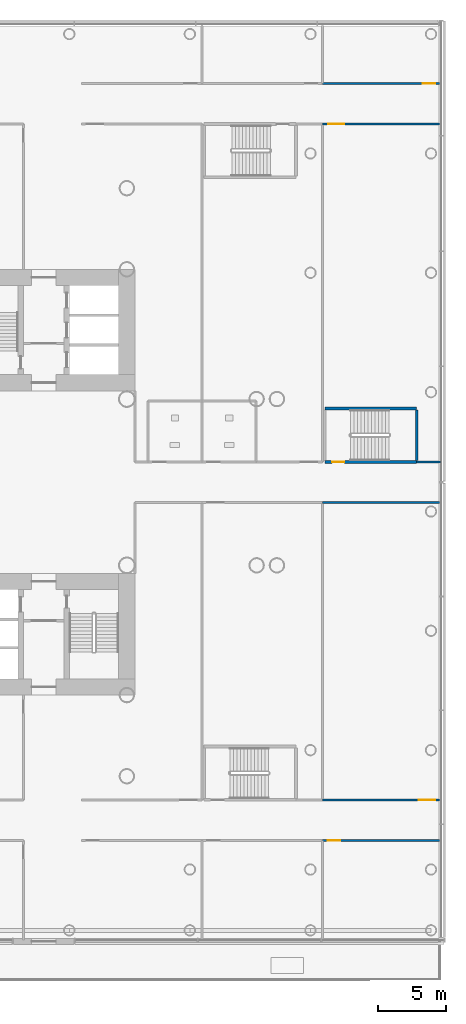
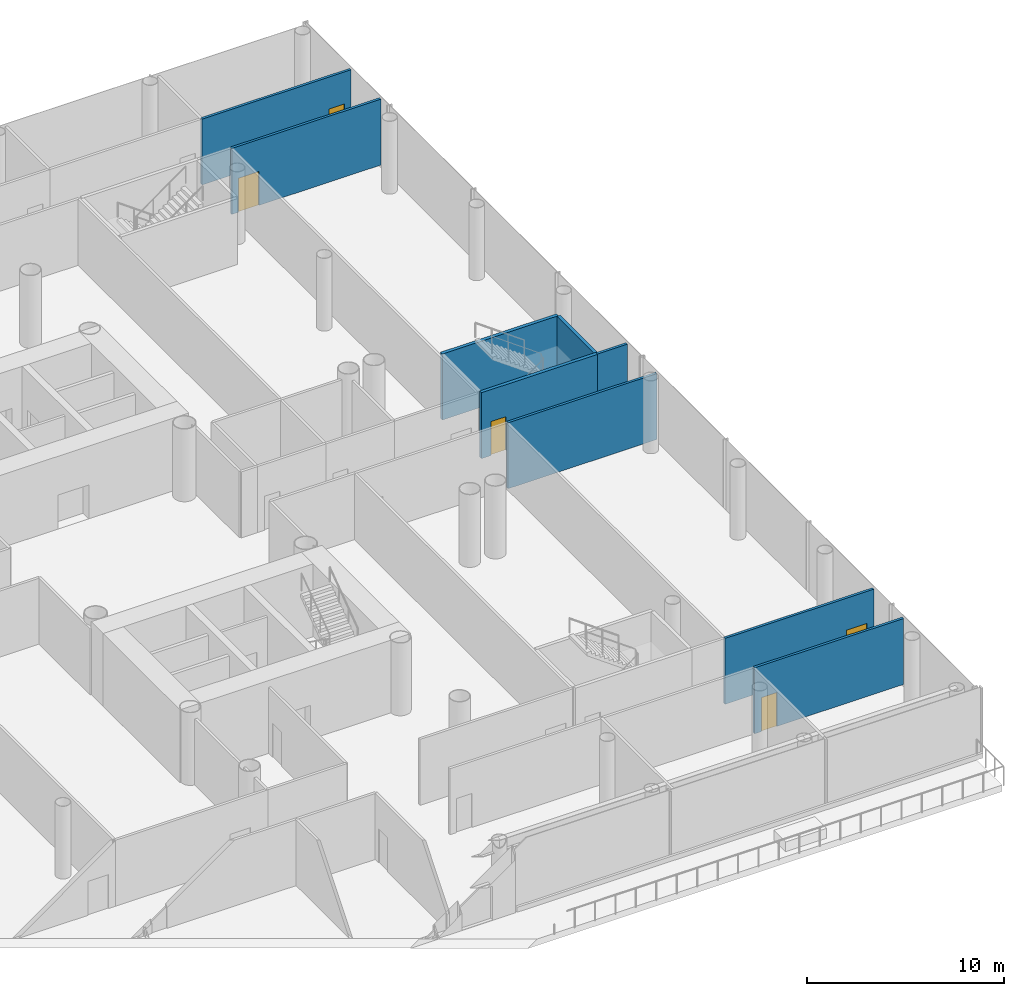
# One storey, part 26 of 51: 9 walls, 5 doors, 5 openings.
"""IFC4 building model written with IfcOpenShell, lengths in metres."""

from ifc_helpers import new_model, si_unit, direction, frame, frame_2d, origin, place, context, subcontext, project, spatial, rectangle, extrude, material, layer, layer_set, type_object, element, fill, save


model = new_model("IFC4")

# Units and contexts
model_context = context("Model", 3, precision=1e-05, world=origin(), true_north=direction((0.0, 1.0)))
body_context = subcontext(model_context, "Body", "Model", "MODEL_VIEW")
ifc_project = project(units=[si_unit("LENGTHUNIT", "METRE"), si_unit("AREAUNIT", "SQUARE_METRE"), si_unit("VOLUMEUNIT", "CUBIC_METRE"), si_unit("PLANEANGLEUNIT", "RADIAN"), si_unit("MASSUNIT", "GRAM", prefix="KILO")], contexts=[model_context])

# Site, building, storey
site_placement = place(None, origin())
site = spatial("IfcSite", under=ifc_project, at=site_placement, CompositionType="ELEMENT")
building_placement = place(site_placement, origin())
building = spatial("IfcBuilding", under=site, at=building_placement, Name="Ipe Terrace Towers", CompositionType="ELEMENT")
storey_placement = place(building_placement, frame((0.0, 0.0, 15.5)))
storey = spatial("IfcBuildingStorey", under=building, at=storey_placement, Name="L03", CompositionType="ELEMENT", Elevation=15.5)

# Wall, opening, door
ifc_material_1 = material(Name="Gypsum board partition", Category="plasterboard")
ifc_layer_1 = layer(ifc_material_1, 0.14990234375)
ifc_layer_set_1 = layer_set([ifc_layer_1], Name="Gypsum board partition 150 mm")
wall_type_1 = type_object("IfcWallType", Name="Gypsum board partition 150 mm", PredefinedType="PARTITIONING", material=ifc_layer_set_1)
wall_1_placement = place(storey_placement, frame((56.6298828125, -26.5, 0.0), z_axis=(0.0, 0.0, 1.0), x_axis=(1.0, 0.0, 0.0)))
wall_1 = element("IfcWall", 1, at=wall_1_placement, inside=storey, type_object=wall_type_1, Name="Gypsum board partition T2 L03 pd-r55-w69", PredefinedType="PARTITIONING", context=body_context, shape_type="SweptSolid", body=[
    extrude(rectangle(XDim=8.72021484375, YDim=0.14990234375, at=frame_2d((4.360107421875, 0.0))), origin(), (0.0, 0.0, 1.0), 4.080078125),
])
opening_1_placement = place(wall_1_placement, frame((0.39990234375, 0.0, 0.0)))
opening_1 = element("IfcOpeningElement", 2, at=opening_1_placement, cuts=wall_1, Name="Opening PD-L03-r55", PredefinedType="OPENING", context=body_context, shape_type="SweptSolid", body=[
    extrude(rectangle(XDim=0.89990234375, YDim=2.10009765625, at=frame_2d((0.449951171875, 1.050048828125))), frame((0.0, 0.0849609375, 0.0), z_axis=(0.0, -1.0, 0.0), x_axis=(1.0, 0.0, 0.0)), (0.0, 0.0, 1.0), 0.169921875),
])
ifc_material_2 = material(Name="Fire-rated timber door leaf", Category="wood")
door_type_1 = type_object("IfcDoorType", Name="Lounge door 900 x 2100 FD30S", OperationType="NOTDEFINED", PredefinedType="DOOR", material=ifc_material_2)
door_1_placement = place(opening_1_placement, origin())
door_1 = element("IfcDoor", 3, at=door_1_placement, inside=storey, type_object=door_type_1, Name="Lounge door PD-L03-r55", OperationType="SINGLE_SWING_RIGHT", OverallHeight=2.10009765625, OverallWidth=0.89990234375, PredefinedType="DOOR", context=body_context, shape_type="SweptSolid", body=[
    extrude(rectangle(XDim=0.89990234375, YDim=2.10009765625, at=frame_2d((0.449951171875, 1.050048828125))), frame((0.0, 0.02490234375, 0.0), z_axis=(0.0, -1.0, 0.0), x_axis=(1.0, 0.0, 0.0)), (0.0, 0.0, 1.0), 0.050048828125),
])
fill(opening_1, door_1)

wall_2_placement = place(storey_placement, frame((65.35009765625, -23.5, 0.0), z_axis=(0.0, 0.0, 1.0), x_axis=(-1.0, 0.0, 0.0)))
wall_2 = element("IfcWall", 4, at=wall_2_placement, inside=storey, type_object=wall_type_1, Name="Gypsum board partition T2 L03 pd-r56-w70", PredefinedType="PARTITIONING", context=body_context, shape_type="SweptSolid", body=[
    extrude(rectangle(XDim=8.72021484375, YDim=0.14990234375, at=frame_2d((4.360107421875, 0.0))), origin(), (0.0, 0.0, 1.0), 4.080078125),
])
opening_2_placement = place(wall_2_placement, frame((0.39990234375, 0.0, 0.0)))
opening_2 = element("IfcOpeningElement", 5, at=opening_2_placement, cuts=wall_2, Name="Opening PD-L03-r56", PredefinedType="OPENING", context=body_context, shape_type="SweptSolid", body=[
    extrude(rectangle(XDim=1.199951171875, YDim=2.10009765625, at=frame_2d((0.60009765625, 1.050048828125))), frame((0.0, 0.0849609375, 0.0), z_axis=(0.0, -1.0, 0.0), x_axis=(1.0, 0.0, 0.0)), (0.0, 0.0, 1.0), 0.169921875),
])
ifc_material_3 = material(Name="Fire-rated timber door leaf", Category="wood")
door_type_2 = type_object("IfcDoorType", Name="Lounge door 1200 x 2100 FD30S", OperationType="NOTDEFINED", PredefinedType="DOOR", material=ifc_material_3)
door_2_placement = place(opening_2_placement, origin())
door_2 = element("IfcDoor", 6, at=door_2_placement, inside=storey, type_object=door_type_2, Name="Lounge door PD-L03-r56", OperationType="SINGLE_SWING_RIGHT", OverallHeight=2.10009765625, OverallWidth=1.199951171875, PredefinedType="DOOR", context=body_context, shape_type="SweptSolid", body=[
    extrude(rectangle(XDim=1.199951171875, YDim=2.10009765625, at=frame_2d((0.60009765625, 1.050048828125))), frame((0.0, 0.02490234375, 0.0), z_axis=(0.0, -1.0, 0.0), x_axis=(1.0, 0.0, 0.0)), (0.0, 0.0, 1.0), 0.050048828125),
])
fill(opening_2, door_2)

# Wall
wall_3_placement = place(storey_placement, frame((56.6298828125, -1.5, 0.0), z_axis=(0.0, 0.0, 1.0), x_axis=(1.0, 0.0, 0.0)))
element("IfcWall", 7, at=wall_3_placement, inside=storey, type_object=wall_type_1, Name="Gypsum board partition T2 L03 pd-r56-w71", PredefinedType="PARTITIONING", context=body_context, shape_type="SweptSolid", body=[
    extrude(rectangle(XDim=8.72021484375, YDim=0.14990234375, at=frame_2d((4.360107421875, 0.0))), origin(), (0.0, 0.0, 1.0), 4.080078125),
])

# Wall, opening, door
wall_4_placement = place(storey_placement, frame((65.35009765625, 29.5, 0.0), z_axis=(0.0, 0.0, 1.0), x_axis=(-1.0, 0.0, 0.0)))
wall_4 = element("IfcWall", 8, at=wall_4_placement, inside=storey, type_object=wall_type_1, Name="Gypsum board partition T2 L03 pd-r57-w72", PredefinedType="PARTITIONING", context=body_context, shape_type="SweptSolid", body=[
    extrude(rectangle(XDim=8.72021484375, YDim=0.14990234375, at=frame_2d((4.360107421875, 0.0))), origin(), (0.0, 0.0, 1.0), 4.080078125),
])
opening_3_placement = place(wall_4_placement, frame((0.39990234375, 0.0, 0.0)))
opening_3 = element("IfcOpeningElement", 9, at=opening_3_placement, cuts=wall_4, Name="Opening PD-L03-r57", PredefinedType="OPENING", context=body_context, shape_type="SweptSolid", body=[
    extrude(rectangle(XDim=0.89990234375, YDim=2.10009765625, at=frame_2d((0.449951171875, 1.050048828125))), frame((0.0, 0.0849609375, 0.0), z_axis=(0.0, -1.0, 0.0), x_axis=(1.0, 0.0, 0.0)), (0.0, 0.0, 1.0), 0.169921875),
])
door_3_placement = place(opening_3_placement, origin())
door_3 = element("IfcDoor", 10, at=door_3_placement, inside=storey, type_object=door_type_1, Name="Lounge door PD-L03-r57", OperationType="SINGLE_SWING_RIGHT", OverallHeight=2.10009765625, OverallWidth=0.89990234375, PredefinedType="DOOR", context=body_context, shape_type="SweptSolid", body=[
    extrude(rectangle(XDim=0.89990234375, YDim=2.10009765625, at=frame_2d((0.449951171875, 1.050048828125))), frame((0.0, 0.02490234375, 0.0), z_axis=(0.0, -1.0, 0.0), x_axis=(1.0, 0.0, 0.0)), (0.0, 0.0, 1.0), 0.050048828125),
])
fill(opening_3, door_3)

wall_5_placement = place(storey_placement, frame((56.6298828125, 26.5, 0.0), z_axis=(0.0, 0.0, 1.0), x_axis=(1.0, 0.0, 0.0)))
wall_5 = element("IfcWall", 11, at=wall_5_placement, inside=storey, type_object=wall_type_1, Name="Gypsum board partition T2 L03 pd-r58-w73", PredefinedType="PARTITIONING", context=body_context, shape_type="SweptSolid", body=[
    extrude(rectangle(XDim=8.72021484375, YDim=0.14990234375, at=frame_2d((4.360107421875, 0.0))), origin(), (0.0, 0.0, 1.0), 4.080078125),
])
opening_4_placement = place(wall_5_placement, frame((0.39990234375, 0.0, 0.0)))
opening_4 = element("IfcOpeningElement", 12, at=opening_4_placement, cuts=wall_5, Name="Opening PD-L03-r58", PredefinedType="OPENING", context=body_context, shape_type="SweptSolid", body=[
    extrude(rectangle(XDim=1.199951171875, YDim=2.10009765625, at=frame_2d((0.60009765625, 1.050048828125))), frame((0.0, 0.0849609375, 0.0), z_axis=(0.0, -1.0, 0.0), x_axis=(1.0, 0.0, 0.0)), (0.0, 0.0, 1.0), 0.169921875),
])
door_4_placement = place(opening_4_placement, origin())
door_4 = element("IfcDoor", 13, at=door_4_placement, inside=storey, type_object=door_type_2, Name="Lounge door PD-L03-r58", OperationType="SINGLE_SWING_RIGHT", OverallHeight=2.10009765625, OverallWidth=1.199951171875, PredefinedType="DOOR", context=body_context, shape_type="SweptSolid", body=[
    extrude(rectangle(XDim=1.199951171875, YDim=2.10009765625, at=frame_2d((0.60009765625, 1.050048828125))), frame((0.0, 0.02490234375, 0.0), z_axis=(0.0, -1.0, 0.0), x_axis=(1.0, 0.0, 0.0)), (0.0, 0.0, 1.0), 0.050048828125),
])
fill(opening_4, door_4)

# Wall
wall_6_placement = place(storey_placement, frame((65.35009765625, 1.5, 0.0), z_axis=(0.0, 0.0, 1.0), x_axis=(-1.0, 0.0, 0.0)))
element("IfcWall", 14, at=wall_6_placement, inside=storey, type_object=wall_type_1, Name="Gypsum board partition T2 L03 pd-r58-w74", PredefinedType="PARTITIONING", context=body_context, shape_type="SweptSolid", body=[
    extrude(rectangle(XDim=1.760009765625, YDim=0.14990234375, at=frame_2d((0.8798828125, 0.0))), origin(), (0.0, 0.0, 1.0), 4.080078125),
])

# Wall, opening, door
ifc_material_4 = material(Name="Concrete C40/50", Category="concrete")
ifc_layer_2 = layer(ifc_material_4, 0.199951171875)
ifc_layer_set_2 = layer_set([ifc_layer_2], Name="RW200 PODIUM STAIR SHAFT WALL 200 C40-50")
wall_type_2 = type_object("IfcWallType", Name="RW200 PODIUM STAIR SHAFT WALL 200 C40-50", PredefinedType="SHEAR", material=ifc_layer_set_2)
wall_7_placement = place(storey_placement, frame((56.7900390625, 1.5, 0.0), z_axis=(0.0, 0.0, 1.0), x_axis=(1.0, 0.0, 0.0)))
wall_7 = element("IfcWall", 15, at=wall_7_placement, inside=storey, type_object=wall_type_2, Name="Stair shaft wall T2 L03 ps8-c", PredefinedType="SHEAR", context=body_context, shape_type="SweptSolid", body=[
    extrude(rectangle(XDim=6.800048828125, YDim=0.199951171875, at=frame_2d((3.39990234375, 0.0))), origin(), (0.0, 0.0, 1.0), 4.080078125),
])
opening_5_placement = place(wall_7_placement, frame((0.550048828125, 0.0, 0.0)))
opening_5 = element("IfcOpeningElement", 16, at=opening_5_placement, cuts=wall_7, Name="Opening PS8-SD", PredefinedType="OPENING", context=body_context, shape_type="SweptSolid", body=[
    extrude(rectangle(XDim=0.89990234375, YDim=2.10009765625, at=frame_2d((0.449951171875, 1.050048828125))), frame((0.0, 0.10986328125, 0.0), z_axis=(0.0, -1.0, 0.0), x_axis=(1.0, 0.0, 0.0)), (0.0, 0.0, 1.0), 0.219970703125),
])
ifc_material_5 = material(Name="Fire-rated timber door leaf", Category="wood")
door_type_3 = type_object("IfcDoorType", Name="Stair door 900 x 2100 FD60", OperationType="NOTDEFINED", PredefinedType="DOOR", material=ifc_material_5)
door_5_placement = place(opening_5_placement, origin())
door_5 = element("IfcDoor", 17, at=door_5_placement, inside=storey, type_object=door_type_3, Name="Stair door PS8-SD", OperationType="SINGLE_SWING_RIGHT", OverallHeight=2.10009765625, OverallWidth=0.89990234375, PredefinedType="DOOR", context=body_context, shape_type="SweptSolid", body=[
    extrude(rectangle(XDim=0.89990234375, YDim=2.10009765625, at=frame_2d((0.449951171875, 1.050048828125))), frame((0.0, 0.02490234375, 0.0), z_axis=(0.0, -1.0, 0.0), x_axis=(1.0, 0.0, 0.0)), (0.0, 0.0, 1.0), 0.050048828125),
])
fill(opening_5, door_5)

# Walls
wall_8_placement = place(storey_placement, frame((56.7900390625, 5.449951171875, 0.0), z_axis=(0.0, 0.0, 1.0), x_axis=(1.0, 0.0, 0.0)))
element("IfcWall", 18, at=wall_8_placement, inside=storey, type_object=wall_type_2, Name="Stair shaft wall T2 L03 ps8-f", PredefinedType="SHEAR", context=body_context, shape_type="SweptSolid", body=[
    extrude(rectangle(XDim=6.800048828125, YDim=0.199951171875, at=frame_2d((3.39990234375, 0.0))), origin(), (0.0, 0.0, 1.0), 4.080078125),
])
wall_9_placement = place(storey_placement, frame((63.590087890625, 1.60009765625, 0.0), z_axis=(0.0, 0.0, 1.0), x_axis=(0.0, 1.0, 0.0)))
element("IfcWall", 19, at=wall_9_placement, inside=storey, type_object=wall_type_2, Name="Stair shaft wall T2 L03 ps8-e", PredefinedType="SHEAR", context=body_context, shape_type="SweptSolid", body=[
    extrude(rectangle(XDim=3.75, YDim=0.199951171875, at=frame_2d((1.875, 0.0))), origin(), (0.0, 0.0, 1.0), 4.080078125),
])

save(model, "model.ifc")
